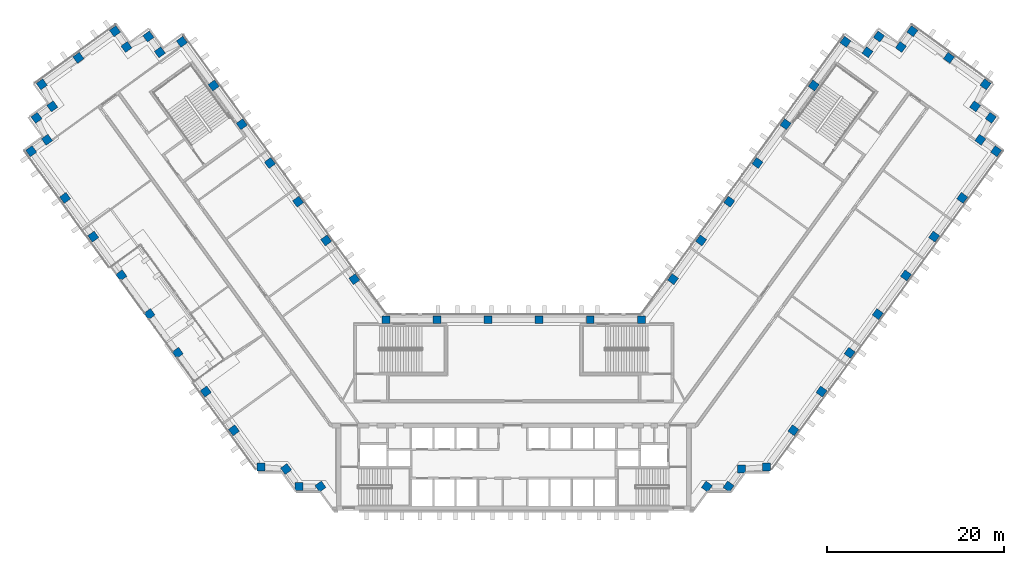
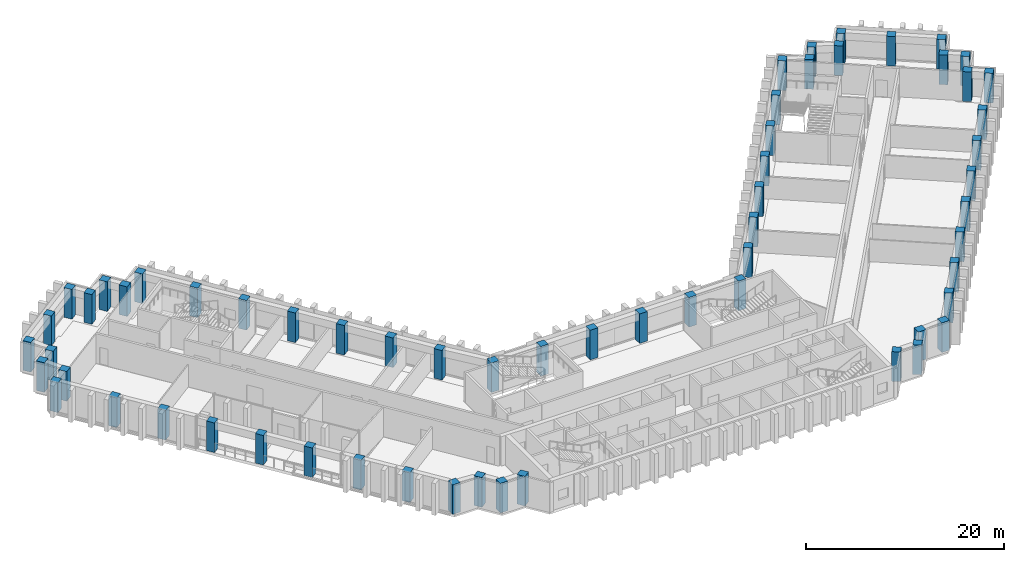
# One storey, part 1 of 16: 62 columns.
"""IFC4 building model written with IfcOpenShell, lengths in metres."""

from ifc_helpers import new_model, si_unit, direction, frame, origin, origin_2d, place, context, subcontext, project, spatial, rectangle, extrude, material, material_profile, profile_set, type_object, element, save


model = new_model("IFC4")

# Units and contexts
model_context = context("Model", 3, precision=1e-05, world=origin(), true_north=direction((0.0, 1.0)))
body_context = subcontext(model_context, "Body", "Model", "MODEL_VIEW")
ifc_project = project(units=[si_unit("LENGTHUNIT", "METRE"), si_unit("AREAUNIT", "SQUARE_METRE"), si_unit("VOLUMEUNIT", "CUBIC_METRE"), si_unit("PLANEANGLEUNIT", "RADIAN"), si_unit("MASSUNIT", "GRAM", prefix="KILO")], contexts=[model_context])

# Site, building, storey
site_placement = place(None, origin())
site = spatial("IfcSite", under=ifc_project, at=site_placement, CompositionType="ELEMENT")
building_placement = place(site_placement, origin())
building = spatial("IfcBuilding", under=site, at=building_placement, Name="Quipu Civic Tower", CompositionType="ELEMENT")
storey_placement = place(building_placement, frame((0.0, 0.0, 51.0)))
storey = spatial("IfcBuildingStorey", under=building, at=storey_placement, Name="L11", CompositionType="ELEMENT", Elevation=51.0)

# Columns
ifc_material = material(Name="Concrete C70/85", Category="concrete")
ifc_material_profile = material_profile(ifc_material, rectangle(XDim=0.89990234375, YDim=0.89990234375, at=origin_2d()), Name="RC900x900")
ifc_profile_set = profile_set([ifc_material_profile], Name="Concrete C70/85")
column_type = type_object("IfcColumnType", Name="Perimeter column RC 900x900 C70/85", PredefinedType="COLUMN", material=ifc_profile_set)
for number, where, z_axis, x_axis, name in (
    (1, (-17.9736328125, 15.074951171875, 0.0), (0.0, 0.0, 1.0), (-0.587785252292, 0.809016994375, 0.0), "Column L11 W-IN-01"),
    (2, (-21.1474609375, 19.44384765625, 0.0), (0.0, 0.0, 1.0), (-0.587785252292, 0.809016994375, 0.0), "Column L11 W-IN-02"),
    (3, (-24.3212890625, 23.8125, 0.0), (0.0, 0.0, 1.0), (-0.587785252292, 0.809016994375, 0.0), "Column L11 W-IN-03"),
    (4, (-27.4951171875, 28.181396484375, 0.0), (0.0, 0.0, 1.0), (-0.587785252292, 0.809016994375, 0.0), "Column L11 W-IN-04"),
    (5, (-30.6689453125, 32.55029296875, 0.0), (0.0, 0.0, 1.0), (-0.587785252292, 0.809016994375, 0.0), "Column L11 W-IN-05"),
    (6, (-33.843017578125, 36.919189453125, 0.0), (0.0, 0.0, 1.0), (-0.587785252292, 0.809016994375, 0.0), "Column L11 W-IN-06"),
    (7, (-37.425048828125, 41.85009765625, 0.0), (0.0, 0.0, 1.0), (-0.587785252292, 0.809016994375, 0.0), "Column L11 T-Wi.0-W50"),
    (8, (-39.905517578125, 40.666015625, 0.0), (0.0, 0.0, 1.0), (-0.587785252292, 0.809016994375, 0.0), "Column L11 T-Wi.1-W50"),
    (9, (-41.199951171875, 42.445068359375, 0.0), (0.0, 0.0, 1.0), (-0.587785252292, 0.809016994375, 0.0), "Column L11 T-Wi.2-W50"),
    (10, (-43.674560546875, 41.264892578125, 0.0), (0.0, 0.0, 1.0), (-0.809016994375, -0.587785252292, 0.0), "Column L11 T-Wi.3-W50"),
    (11, (-44.969970703125, 43.044921875, 0.0), (0.0, 0.0, 1.0), (-0.809016994375, -0.587785252292, 0.0), "Column L11 T-Wi.4-W50"),
    (12, (-49.095703125, 40.046875, 0.0), (0.0, 0.0, 1.0), (-0.809016994375, -0.587785252292, 0.0), "Column L11 TIP-W-01-W50"),
    (13, (-53.219970703125, 37.050048828125, 0.0), (0.0, 0.0, 1.0), (0.587785252292, -0.809016994375, 0.0), "Column L11 T-Wo.0-W50"),
    (14, (-52.038818359375, 34.571044921875, 0.0), (0.0, 0.0, 1.0), (-0.809016994375, -0.587785252292, 0.0), "Column L11 T-Wo.1-W50"),
    (15, (-53.820068359375, 33.27490234375, 0.0), (0.0, 0.0, 1.0), (0.587785252292, -0.809016994375, 0.0), "Column L11 T-Wo.2-W50"),
    (16, (-52.635986328125, 30.799560546875, 0.0), (0.0, 0.0, 1.0), (-0.809016994375, -0.587785252292, 0.0), "Column L11 T-Wo.3-W50"),
    (17, (-54.4150390625, 29.5048828125, 0.0), (0.0, 0.0, 1.0), (0.587785252292, -0.809016994375, 0.0), "Column L11 T-Wo.4-W50"),
    (18, (-50.59228515625, 24.243408203125, 0.0), (0.0, 0.0, 1.0), (0.587785252292, -0.809016994375, 0.0), "Column L11 W-OUT-07"),
    (19, (-47.41845703125, 19.874755859375, 0.0), (0.0, 0.0, 1.0), (0.587785252292, -0.809016994375, 0.0), "Column L11 W-OUT-06"),
    (20, (-44.244384765625, 15.506103515625, 0.0), (0.0, 0.0, 1.0), (0.587785252292, -0.809016994375, 0.0), "Column L11 W-OUT-05"),
    (21, (-41.0703125, 11.137451171875, 0.0), (0.0, 0.0, 1.0), (0.587785252292, -0.809016994375, 0.0), "Column L11 W-OUT-04"),
    (22, (-37.896240234375, 6.768798828125, 0.0), (0.0, 0.0, 1.0), (0.587785252292, -0.809016994375, 0.0), "Column L11 W-OUT-03"),
    (23, (-34.722412109375, 2.39990234375, 0.0), (0.0, 0.0, 1.0), (0.587785252292, -0.809016994375, 0.0), "Column L11 W-OUT-02"),
    (24, (-31.54833984375, -1.96875, 0.0), (0.0, 0.0, 1.0), (0.587785252292, -0.809016994375, 0.0), "Column L11 W-OUT-01"),
    (25, (-28.52490234375, -6.1298828125, 0.0), (0.0, 0.0, 1.0), (1.0, 0.0, 0.0), "Column L11 J-Wo.0"),
    (26, (-25.67431640625, -6.3369140625, 0.0), (0.0, 0.0, 1.0), (0.587785252292, -0.809016994375, 0.0), "Column L11 J-Wo.1"),
    (27, (-24.235107421875, -8.31494140625, 0.0), (0.0, 0.0, 1.0), (1.0, 0.0, 0.0), "Column L11 J-Wo.2"),
    (28, (-21.791748046875, -8.31494140625, 0.0), (0.0, 0.0, 1.0), (0.587785252292, -0.809016994375, 0.0), "Column L11 J-Wo.3"),
    (29, (21.791748046875, -8.31494140625, 0.0), (0.0, 0.0, 1.0), (0.587785252292, 0.809016994375, 0.0), "Column L11 J-Eo.1"),
    (30, (24.235107421875, -8.31494140625, 0.0), (0.0, 0.0, 1.0), (0.587785252292, 0.809016994375, 0.0), "Column L11 J-Eo.2"),
    (31, (25.67431640625, -6.3369140625, 0.0), (0.0, 0.0, 1.0), (1.0, 0.0, 0.0), "Column L11 J-Eo.3"),
    (32, (28.52490234375, -6.1298828125, 0.0), (0.0, 0.0, 1.0), (1.0, 0.0, 0.0), "Column L11 J-Eo.4"),
    (33, (31.54833984375, -1.96875, 0.0), (0.0, 0.0, 1.0), (0.587785252292, 0.809016994375, 0.0), "Column L11 E-OUT-01"),
    (34, (34.722412109375, 2.39990234375, 0.0), (0.0, 0.0, 1.0), (0.587785252292, 0.809016994375, 0.0), "Column L11 E-OUT-02"),
    (35, (37.896240234375, 6.768798828125, 0.0), (0.0, 0.0, 1.0), (0.587785252292, 0.809016994375, 0.0), "Column L11 E-OUT-03"),
    (36, (41.0703125, 11.137451171875, 0.0), (0.0, 0.0, 1.0), (0.587785252292, 0.809016994375, 0.0), "Column L11 E-OUT-04"),
    (37, (44.244384765625, 15.506103515625, 0.0), (0.0, 0.0, 1.0), (0.587785252292, 0.809016994375, 0.0), "Column L11 E-OUT-05"),
    (38, (47.41845703125, 19.874755859375, 0.0), (0.0, 0.0, 1.0), (0.587785252292, 0.809016994375, 0.0), "Column L11 E-OUT-06"),
    (39, (50.59228515625, 24.243408203125, 0.0), (0.0, 0.0, 1.0), (0.587785252292, 0.809016994375, 0.0), "Column L11 E-OUT-07"),
    (40, (54.4150390625, 29.5048828125, 0.0), (0.0, 0.0, 1.0), (0.587785252292, 0.809016994375, 0.0), "Column L11 T-Eo.0-E50"),
    (41, (52.635986328125, 30.799560546875, 0.0), (0.0, 0.0, 1.0), (-0.809016994375, 0.587785252292, 0.0), "Column L11 T-Eo.1-E50"),
    (42, (53.820068359375, 33.27490234375, 0.0), (0.0, 0.0, 1.0), (-0.809016994375, 0.587785252292, 0.0), "Column L11 T-Eo.2-E50"),
    (43, (52.038818359375, 34.571044921875, 0.0), (0.0, 0.0, 1.0), (0.587785252292, 0.809016994375, 0.0), "Column L11 T-Eo.3-E50"),
    (44, (53.219970703125, 37.050048828125, 0.0), (0.0, 0.0, 1.0), (-0.809016994375, 0.587785252292, 0.0), "Column L11 T-Eo.4-E50"),
    (45, (49.095703125, 40.046875, 0.0), (0.0, 0.0, 1.0), (-0.809016994375, 0.587785252292, 0.0), "Column L11 TIP-E-01-E50"),
    (46, (44.969970703125, 43.044921875, 0.0), (0.0, 0.0, 1.0), (-0.809016994375, 0.587785252292, 0.0), "Column L11 T-Ei.0-E50"),
    (47, (43.674560546875, 41.264892578125, 0.0), (0.0, 0.0, 1.0), (-0.809016994375, 0.587785252292, 0.0), "Column L11 T-Ei.1-E50"),
    (48, (41.199951171875, 42.445068359375, 0.0), (0.0, 0.0, 1.0), (-0.587785252292, -0.809016994375, 0.0), "Column L11 T-Ei.2-E50"),
    (49, (39.905517578125, 40.666015625, 0.0), (0.0, 0.0, 1.0), (-0.587785252292, -0.809016994375, 0.0), "Column L11 T-Ei.3-E50"),
    (50, (37.425048828125, 41.85009765625, 0.0), (0.0, 0.0, 1.0), (-0.587785252292, -0.809016994375, 0.0), "Column L11 T-Ei.4-E50"),
    (51, (33.843017578125, 36.919189453125, 0.0), (0.0, 0.0, 1.0), (-0.587785252292, -0.809016994375, 0.0), "Column L11 E-IN-06"),
    (52, (30.6689453125, 32.55029296875, 0.0), (0.0, 0.0, 1.0), (-0.587785252292, -0.809016994375, 0.0), "Column L11 E-IN-05"),
    (53, (27.4951171875, 28.181396484375, 0.0), (0.0, 0.0, 1.0), (-0.587785252292, -0.809016994375, 0.0), "Column L11 E-IN-04"),
    (54, (24.3212890625, 23.8125, 0.0), (0.0, 0.0, 1.0), (-0.587785252292, -0.809016994375, 0.0), "Column L11 E-IN-03"),
    (55, (21.1474609375, 19.44384765625, 0.0), (0.0, 0.0, 1.0), (-0.587785252292, -0.809016994375, 0.0), "Column L11 E-IN-02"),
    (56, (17.9736328125, 15.074951171875, 0.0), (0.0, 0.0, 1.0), (-0.587785252292, -0.809016994375, 0.0), "Column L11 E-IN-01"),
    (57, (14.395263671875, 10.5, 0.0), (0.0, 0.0, 1.0), (-1.0, 0.0, 0.0), "Column L11 J-Ei.0"),
    (58, (8.63720703125, 10.5, 0.0), (0.0, 0.0, 1.0), (-1.0, 0.0, 0.0), "Column L11 FRONT-01"),
    (59, (2.87890625, 10.5, 0.0), (0.0, 0.0, 1.0), (-1.0, 0.0, 0.0), "Column L11 FRONT-02"),
    (60, (-2.87890625, 10.5, 0.0), (0.0, 0.0, 1.0), (-1.0, 0.0, 0.0), "Column L11 FRONT-03"),
    (61, (-8.63720703125, 10.5, 0.0), (0.0, 0.0, 1.0), (-1.0, 0.0, 0.0), "Column L11 FRONT-04"),
    (62, (-14.395263671875, 10.5, 0.0), (0.0, 0.0, 1.0), (-1.0, 0.0, 0.0), "Column L11 J-Wi.0"),
):
    element("IfcColumn", number, at=place(storey_placement, frame(where, z_axis=z_axis, x_axis=x_axis)), inside=storey, type_object=column_type, Name=name, PredefinedType="COLUMN", context=body_context, shape_type="SweptSolid", body=[
        extrude(rectangle(XDim=0.89990234375, YDim=0.89990234375, at=origin_2d()), origin(), (0.0, 0.0, 1.0), 3.64990234375),
    ])

save(model, "model.ifc")
